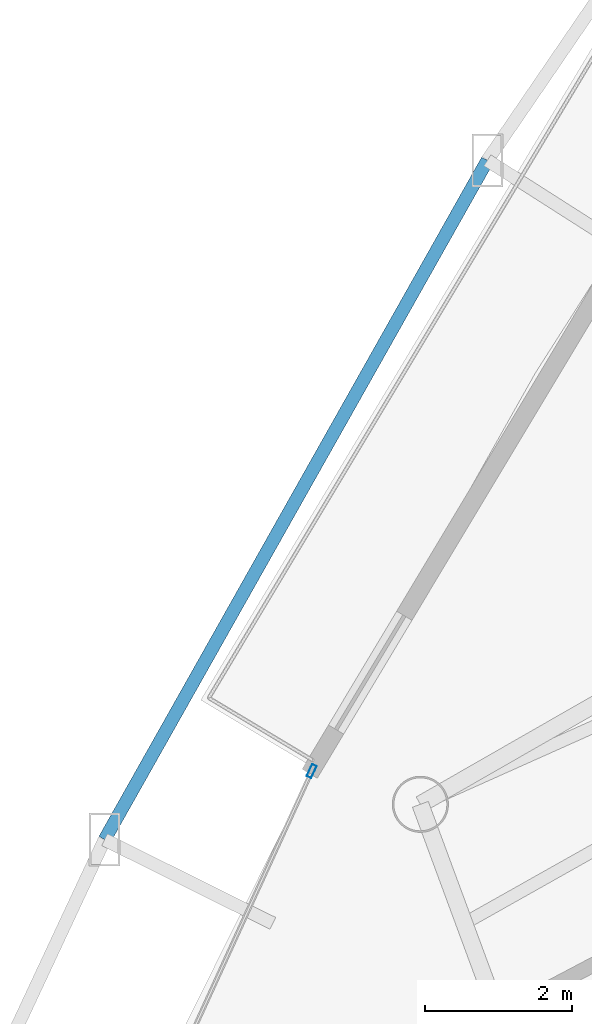
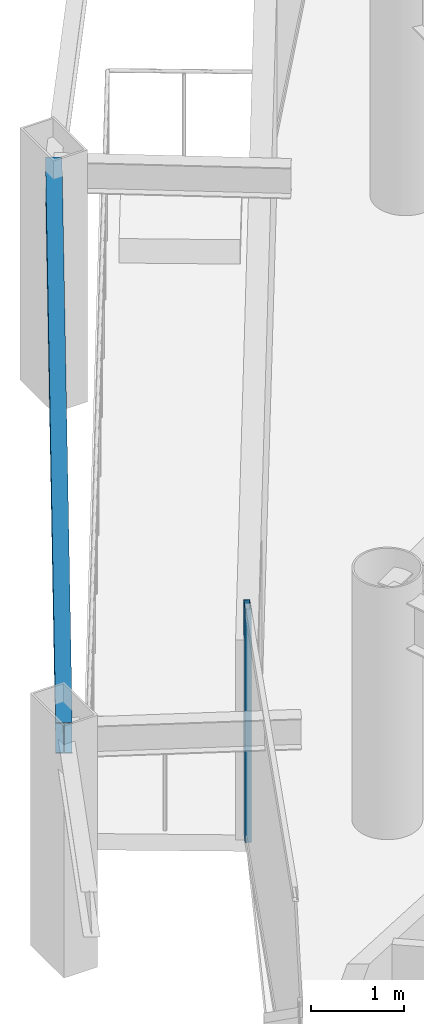
# One storey, part 10 of 34: 1 beam, 1 member, 1 element without a shape of its own.
"""IFC4 building model written with IfcOpenShell, lengths in metres."""

from ifc_helpers import new_model, si_unit, direction, frame, origin, origin_2d, place, context, subcontext, project, spatial, hollow_rectangle, i_section, extrude, material, layer, layer_set, material_profile, profile_set, type_object, element, aggregate, save


model = new_model("IFC4")

# Units and contexts
model_context = context("Model", 3, precision=1e-05, world=origin(), true_north=direction((0.0, 1.0)))
body_context = subcontext(model_context, "Body", "Model", "MODEL_VIEW")
ifc_project = project(units=[si_unit("LENGTHUNIT", "METRE"), si_unit("AREAUNIT", "SQUARE_METRE"), si_unit("VOLUMEUNIT", "CUBIC_METRE"), si_unit("PLANEANGLEUNIT", "RADIAN"), si_unit("MASSUNIT", "GRAM", prefix="KILO")], contexts=[model_context])

# Site, building, storey
site_placement = place(None, origin())
site = spatial("IfcSite", under=ifc_project, at=site_placement, CompositionType="ELEMENT")
building_placement = place(site_placement, origin())
building = spatial("IfcBuilding", under=site, at=building_placement, Name="Orvanel Arch Residences", CompositionType="ELEMENT")
storey_placement = place(building_placement, frame((0.0, 0.0, 77.449951171875)))
storey = spatial("IfcBuildingStorey", under=building, at=storey_placement, Name="L21", CompositionType="ELEMENT", Elevation=77.449951171875)

# Curtain wall, member
ifc_material_1 = material(Name="Bronze-anodised aluminium AA6063-T6", Category="aluminium")
ifc_layer = layer(ifc_material_1, 0.179931640625)
ifc_layer_set = layer_set([ifc_layer], Name="Bronze-anodised aluminium AA6063-T6")
curtain_wall_type = type_object("IfcCurtainWallType", Name="CW2-LOW-SYS", PredefinedType="NOTDEFINED", material=ifc_layer_set)
curtain_wall_placement = place(storey_placement, origin())
curtain_wall = element("IfcCurtainWall", 1, at=curtain_wall_placement, inside=storey, type_object=curtain_wall_type, Name="L21 CW2-LOW-SYS Unitised Curtain Wall", PredefinedType="NOTDEFINED")
ifc_material_profile_1 = material_profile(ifc_material_1, hollow_rectangle(XDim=0.070068359375, YDim=0.179931640625, WallThickness=0.00439453125, at=origin_2d()), Name="ALU180x70x4.5")
ifc_profile_set_1 = profile_set([ifc_material_profile_1], Name="Bronze-anodised aluminium AA6063-T6")
member_type = type_object("IfcMemberType", Name="MUL-180x70", PredefinedType="MULLION", material=ifc_profile_set_1)
member_placement = place(storey_placement, frame((13.1875, 24.7060546875, 0.0), z_axis=(0.0, 0.0, 1.0), x_axis=(0.909616944848, -0.415447967434, 0.0)))
member = element("IfcMember", 2, at=member_placement, type_object=member_type, Name="CW-S2 mullion 1", PredefinedType="MULLION", context=body_context, shape_type="SweptSolid", body=[
    extrude(hollow_rectangle(XDim=0.070068359375, YDim=0.179931640625, WallThickness=0.00439453125, at=origin_2d()), origin(), (0.0, 0.0, 1.0), 3.06005859375),
])
aggregate(curtain_wall, [member])

# Beam
ifc_material_2 = material(Name="Structural steel AS/NZS 3679.1 Grade 300 (300 MPa)", Category="steel")
ifc_material_profile_2 = material_profile(ifc_material_2, i_section(OverallWidth=0.177978515625, OverallDepth=0.406005859375, WebThickness=0.0078125, FlangeThickness=0.0126953125, at=origin_2d()), Name="410UB59.7")
ifc_profile_set_2 = profile_set([ifc_material_profile_2], Name="Structural steel AS/NZS 3679.1 Grade 300 (300 MPa)")
beam_type = type_object("IfcBeamType", Name="OB-410UB-EXT", PredefinedType="SPANDREL", material=ifc_profile_set_2)
beam_placement = place(storey_placement, frame((15.571044921875, 32.991943359375, 2.85693359375), z_axis=(-0.490962423803, -0.871180749566, 0.0), x_axis=(0.871180749566, -0.490962423803, 0.0)))
element("IfcBeam", 3, at=beam_placement, inside=storey, type_object=beam_type, Name="L21 Outer Perimeter Floor Ring Beam 02", PredefinedType="SPANDREL", context=body_context, shape_type="SweptSolid", body=[
    extrude(i_section(OverallWidth=0.177978515625, OverallDepth=0.406005859375, WebThickness=0.0078125, FlangeThickness=0.0126953125, at=origin_2d()), origin(), (0.0, 0.0, 1.0), 10.577392578125),
])

save(model, "model.ifc")
